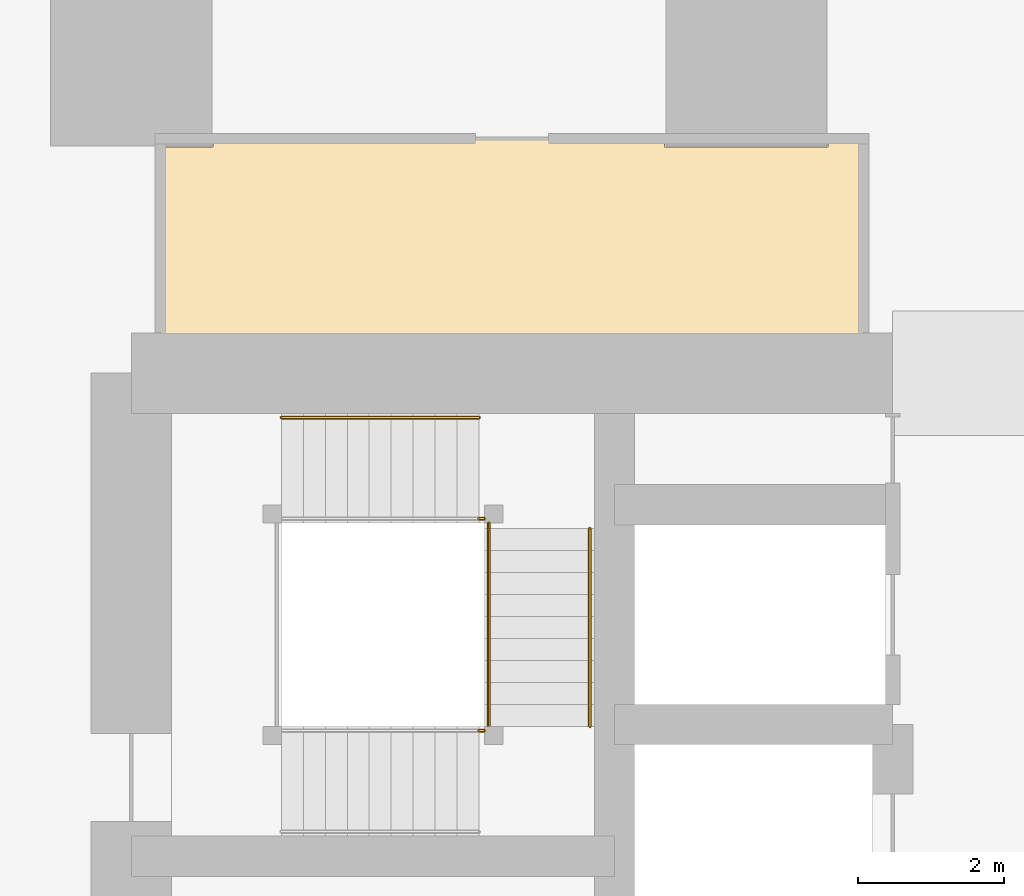
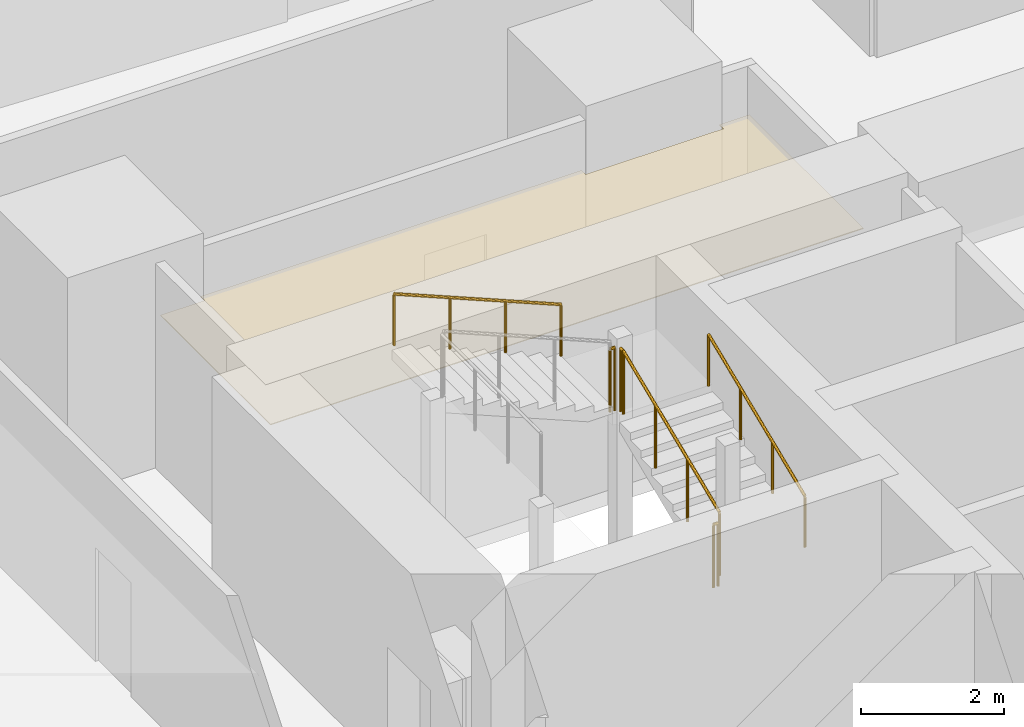
# One storey, part 42 of 45: 6 railings, 1 covering.
"""IFC4 building model written with IfcOpenShell, lengths in metres."""

from ifc_helpers import new_model, si_unit, direction, frame, origin, origin_2d, place, context, subcontext, project, spatial, polyline, circle, outline, extrude, material, layer, layer_set, type_object, element, save


model = new_model("IFC4")

# Units and contexts
model_context = context("Model", 3, precision=1e-05, world=origin(), true_north=direction((0.0, 1.0)))
body_context = subcontext(model_context, "Body", "Model", "MODEL_VIEW")
ifc_project = project(units=[si_unit("LENGTHUNIT", "METRE"), si_unit("AREAUNIT", "SQUARE_METRE"), si_unit("VOLUMEUNIT", "CUBIC_METRE"), si_unit("PLANEANGLEUNIT", "RADIAN"), si_unit("MASSUNIT", "GRAM", prefix="KILO")], contexts=[model_context])

# Site, building, storey
site_placement = place(None, origin())
site = spatial("IfcSite", under=ifc_project, at=site_placement, CompositionType="ELEMENT")
building_placement = place(site_placement, origin())
building = spatial("IfcBuilding", under=site, at=building_placement, Name="Rekha Terrace Tower", CompositionType="ELEMENT")
storey_placement = place(building_placement, frame((0.0, 0.0, 44.14990234375)))
storey = spatial("IfcBuildingStorey", under=building, at=storey_placement, Name="L10", CompositionType="ELEMENT", Elevation=44.14990234375)

# Covering
ifc_material_1 = material(Name="Fibre cement board", Category="finish")
ifc_layer = layer(ifc_material_1, 0.014892578125)
ifc_layer_set = layer_set([ifc_layer], Name="Fibre cement board")
covering_type = type_object("IfcCoveringType", Name="CL2 moisture-resistant board ceiling", PredefinedType="CEILING", material=ifc_layer_set)
covering_placement = place(storey_placement, frame((0.0, 0.0, 2.585205078125)))
element("IfcCovering", 1, at=covering_placement, inside=storey, type_object=covering_type, Name="Ceiling L10-WCF2", PredefinedType="CEILING", context=body_context, shape_type="SweptSolid", body=[
    extrude(outline(polyline([(26.31494140625, 49.284912109375), (25.60009765625, 49.284912109375), (25.60009765625, 46.199951171875), (35.199951171875, 46.199951171875), (35.199951171875, 49.39990234375), (34.715087890625, 49.39990234375), (34.715087890625, 49.284912109375), (32.485107421875, 49.284912109375), (32.485107421875, 49.39990234375), (26.31494140625, 49.39990234375), (26.31494140625, 49.284912109375)])), origin(), (0.0, 0.0, 1.0), 0.014892578125),
])

# Railings
ifc_material_2 = material(Name="Stainless steel balustrade", Category="steel")
railing_type_1 = type_object("IfcRailingType", Name="GR1 1100 stair guard", PredefinedType="GUARDRAIL", material=ifc_material_2)
railing_1_placement = place(storey_placement, frame((30.0849609375, 41.375, 1.375)))
element("IfcRailing", 2, at=railing_1_placement, inside=storey, type_object=railing_type_1, Name="Guard ST4 L10 flight 2", PredefinedType="GUARDRAIL", context=body_context, shape_type="SweptSolid", body=[
    extrude(circle(Radius=0.02392578125, at=origin_2d()), frame((0.0, 0.0, 1.076171875), z_axis=(0.0, 0.923074453586, 0.384621311341), x_axis=(-1.0, 0.0, 0.0)), (0.0, 0.0, 1.0), 2.925048828125),
    extrude(circle(Radius=0.02099609375, at=origin_2d()), origin(), (0.0, 0.0, 1.0), 1.052001953125),
    extrude(circle(Radius=0.02099609375, at=origin_2d()), frame((0.0, 0.89990234375, 0.375)), (0.0, 0.0, 1.0), 1.052001953125),
    extrude(circle(Radius=0.02099609375, at=origin_2d()), frame((0.0, 1.800048828125, 0.75)), (0.0, 0.0, 1.0), 1.052001953125),
    extrude(circle(Radius=0.02099609375, at=origin_2d()), frame((0.0, 2.699951171875, 1.125)), (0.0, 0.0, 1.0), 1.052001953125),
])
railing_2_placement = place(storey_placement, frame((29.949951171875, 41.31494140625, 1.25)))
element("IfcRailing", 3, at=railing_2_placement, inside=storey, type_object=railing_type_1, Name="Guard ST4 L10 landing 1", PredefinedType="GUARDRAIL", context=body_context, shape_type="SweptSolid", body=[
    extrude(circle(Radius=0.02392578125, at=origin_2d()), frame((0.0, 0.0, 1.076171875), z_axis=(1.0, 0.0, 0.0), x_axis=(0.0, 1.0, 0.0)), (0.0, 0.0, 1.0), 0.074951171875),
    extrude(circle(Radius=0.02099609375, at=origin_2d()), origin(), (0.0, 0.0, 1.0), 1.052001953125),
    extrude(circle(Radius=0.02099609375, at=origin_2d()), frame((0.074951171875, 0.0, 0.0)), (0.0, 0.0, 1.0), 1.052001953125),
])
railing_3_placement = place(storey_placement, frame((30.0849609375, 44.074951171875, 2.5)))
element("IfcRailing", 4, at=railing_3_placement, inside=storey, type_object=railing_type_1, Name="Guard ST4 L10 landing 2", PredefinedType="GUARDRAIL", context=body_context, shape_type="SweptSolid", body=[
    extrude(circle(Radius=0.02392578125, at=origin_2d()), frame((0.0, 0.0, 1.076171875), z_axis=(0.0, 1.0, 0.0), x_axis=(-1.0, 0.0, 0.0)), (0.0, 0.0, 1.0), 0.074951171875),
    extrude(circle(Radius=0.02099609375, at=origin_2d()), origin(), (0.0, 0.0, 1.0), 1.052001953125),
    extrude(circle(Radius=0.02099609375, at=origin_2d()), frame((0.0, 0.074951171875, 0.0)), (0.0, 0.0, 1.0), 1.052001953125),
])
railing_4_placement = place(storey_placement, frame((29.949951171875, 44.2099609375, 2.5)))
element("IfcRailing", 5, at=railing_4_placement, inside=storey, type_object=railing_type_1, Name="Guard ST4 L10 landing 3", PredefinedType="GUARDRAIL", context=body_context, shape_type="SweptSolid", body=[
    extrude(circle(Radius=0.02392578125, at=origin_2d()), frame((0.0, 0.0, 1.076171875), z_axis=(1.0, 0.0, 0.0), x_axis=(0.0, 1.0, 0.0)), (0.0, 0.0, 1.0), 0.074951171875),
    extrude(circle(Radius=0.02099609375, at=origin_2d()), origin(), (0.0, 0.0, 1.0), 1.052001953125),
    extrude(circle(Radius=0.02099609375, at=origin_2d()), frame((0.074951171875, 0.0, 0.0)), (0.0, 0.0, 1.0), 1.052001953125),
])
ifc_material_3 = material(Name="Stainless steel tube", Category="steel")
railing_type_2 = type_object("IfcRailingType", Name="HR1 900 stair handrail", PredefinedType="HANDRAIL", material=ifc_material_3)
railing_5_placement = place(storey_placement, frame((31.465087890625, 41.375, 1.375)))
element("IfcRailing", 6, at=railing_5_placement, inside=storey, type_object=railing_type_2, Name="Handrail ST4 L10 flight 2", PredefinedType="HANDRAIL", context=body_context, shape_type="SweptSolid", body=[
    extrude(circle(Radius=0.02392578125, at=origin_2d()), frame((0.0, 0.0, 0.8759765625), z_axis=(0.0, 0.923074453586, 0.384621311341), x_axis=(-1.0, 0.0, 0.0)), (0.0, 0.0, 1.0), 2.925048828125),
    extrude(circle(Radius=0.02099609375, at=origin_2d()), origin(), (0.0, 0.0, 1.0), 0.851806640625),
    extrude(circle(Radius=0.02099609375, at=origin_2d()), frame((0.0, 0.89990234375, 0.375)), (0.0, 0.0, 1.0), 0.851806640625),
    extrude(circle(Radius=0.02099609375, at=origin_2d()), frame((0.0, 1.800048828125, 0.75)), (0.0, 0.0, 1.0), 0.851806640625),
    extrude(circle(Radius=0.02099609375, at=origin_2d()), frame((0.0, 2.699951171875, 1.125)), (0.0, 0.0, 1.0), 0.851806640625),
])
railing_6_placement = place(storey_placement, frame((29.949951171875, 45.590087890625, 2.625)))
element("IfcRailing", 7, at=railing_6_placement, inside=storey, type_object=railing_type_2, Name="Handrail ST4 L10 flight 3", PredefinedType="HANDRAIL", context=body_context, shape_type="SweptSolid", body=[
    extrude(circle(Radius=0.02392578125, at=origin_2d()), frame((0.0, 0.0, 0.8759765625), z_axis=(-0.923074453586, 0.0, 0.384621311341), x_axis=(0.0, -1.0, 0.0)), (0.0, 0.0, 1.0), 2.925048828125),
    extrude(circle(Radius=0.02099609375, at=origin_2d()), origin(), (0.0, 0.0, 1.0), 0.851806640625),
    extrude(circle(Radius=0.02099609375, at=origin_2d()), frame((-0.89990234375, 0.0, 0.375)), (0.0, 0.0, 1.0), 0.851806640625),
    extrude(circle(Radius=0.02099609375, at=origin_2d()), frame((-1.800048828125, 0.0, 0.75)), (0.0, 0.0, 1.0), 0.851806640625),
    extrude(circle(Radius=0.02099609375, at=origin_2d()), frame((-2.699951171875, 0.0, 1.125)), (0.0, 0.0, 1.0), 0.851806640625),
])

save(model, "model.ifc")
